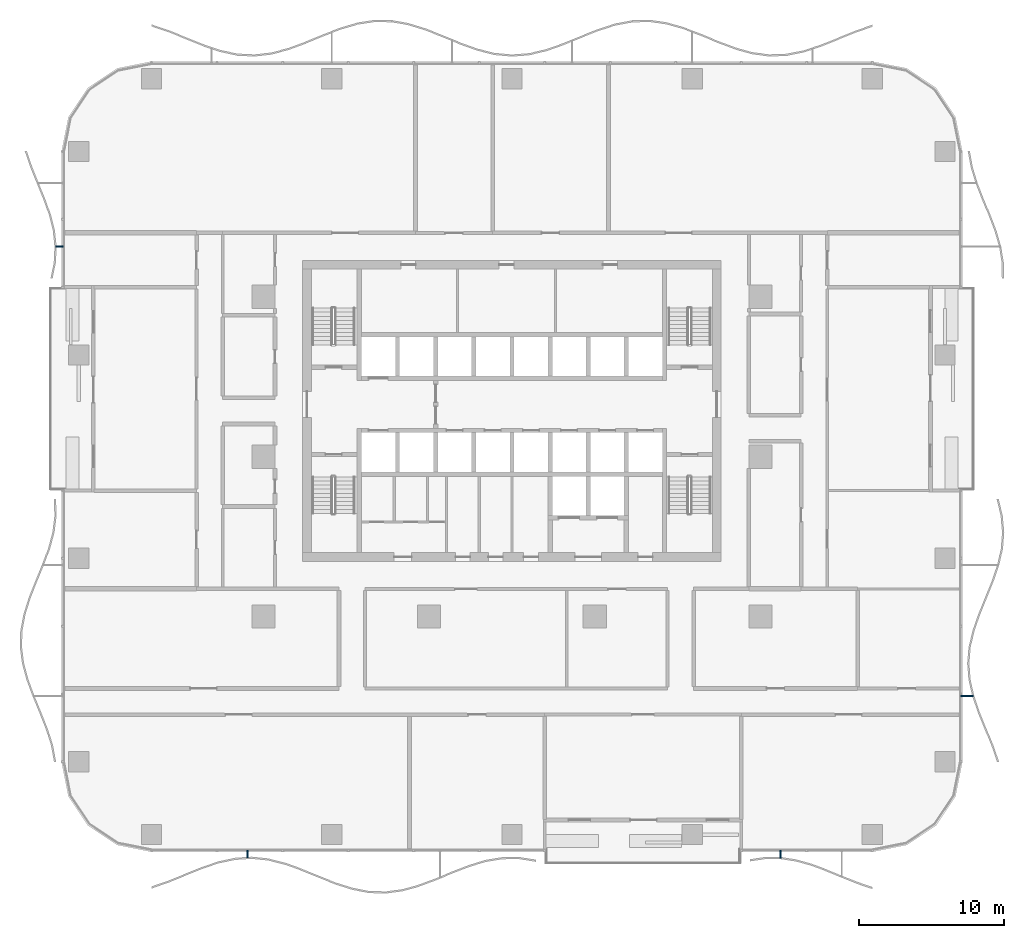
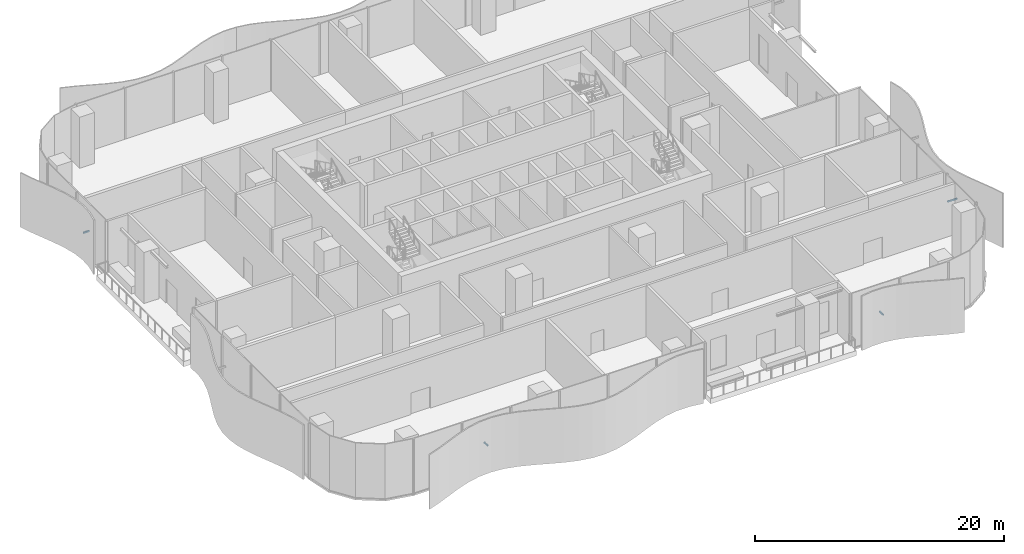
# One storey, part 13 of 21: 4 discrete accessories.
"""IFC4 building model written with IfcOpenShell, lengths in metres."""

import ifcopenshell
import ifcopenshell.guid

model = None  # the IFC model being written
_history = None  # IfcOwnerHistory: only IFC2X3 demands one
_inside = {}  # id of a spatial element -> (the spatial element, [elements in it])
_under = {}  # id of a project, library or spatial element -> (it, [spatial elements below it])
_declared = {}  # id of a project -> (the project, [libraries it declares])
_typed = {}  # id of a type object -> (the type object, [elements of that type])
_made_of = {}  # id of a material, layer set ... -> (it, [elements and type objects made of it])


def new_model(schema):
    """Start an empty IFC model of exactly this schema.

    Asked for "IFC4X3", IfcOpenShell would pick the latest addendum, in which some entities
    have other attributes; the version numbers below select the first issue.
    IFC2X3 requires an IfcOwnerHistory on every rooted entity: one is made here for all.
    """
    global model, _history
    if schema == "IFC4X3":
        model = ifcopenshell.file(schema_version=(4, 3, 0, 0))
    else:
        model = ifcopenshell.file(schema=schema)
    _inside.clear()
    _under.clear()
    _declared.clear()
    _typed.clear()
    _made_of.clear()
    _history = None
    if model.schema == "IFC2X3":
        org = make("IfcOrganization", Name="unknown")
        user = make(
            "IfcPersonAndOrganization",
            ThePerson=make("IfcPerson", FamilyName="unknown"),
            TheOrganization=org,
        )
        app = make(
            "IfcApplication",
            ApplicationDeveloper=org,
            Version="unknown",
            ApplicationFullName="unknown",
            ApplicationIdentifier="unknown",
        )
        _history = make(
            "IfcOwnerHistory",
            OwningUser=user,
            OwningApplication=app,
            ChangeAction="ADDED",
            CreationDate=0,
        )
    return model


def make(cls, **values):
    """One entity of the class cls with the attributes given. An attribute that is None is left unset."""
    return model.create_entity(
        cls, **{name: value for name, value in values.items() if value is not None}
    )


def rooted(cls, **values):
    """An entity with a GlobalId (a new one), such as an element, a storey or a relation."""
    return make(cls, GlobalId=ifcopenshell.guid.new(), OwnerHistory=_history, **values)


def si_unit(unit_type, name, prefix=None):
    """IfcSIUnit, for example si_unit("LENGTHUNIT", "METRE", prefix="MILLI")."""
    return make("IfcSIUnit", UnitType=unit_type, Prefix=prefix, Name=name)


def assignment(units):
    """IfcUnitAssignment: the units of a project."""
    return None if units is None else make("IfcUnitAssignment", Units=units)


def point(xyz):
    """IfcCartesianPoint."""
    return None if xyz is None else make("IfcCartesianPoint", Coordinates=xyz)


def direction(xyz):
    """IfcDirection."""
    return None if xyz is None else make("IfcDirection", DirectionRatios=xyz)


def frame(location, z_axis=None, x_axis=None):
    """IfcAxis2Placement3D, a coordinate frame: its origin and axes. An axis left out is left unset."""
    return make(
        "IfcAxis2Placement3D",
        Location=point(location),
        Axis=direction(z_axis),
        RefDirection=direction(x_axis),
    )


def frame_2d(location, x_axis=None):
    """IfcAxis2Placement2D, a coordinate frame in the plane: its origin and x axis."""
    return make(
        "IfcAxis2Placement2D", Location=point(location), RefDirection=direction(x_axis)
    )


def origin():
    """The frame at (0, 0, 0) with its axes left unset."""
    return frame((0.0, 0.0, 0.0))


def origin_2d():
    """The frame at (0, 0) in the plane with its x axis left unset."""
    return frame_2d((0.0, 0.0))


def place(relative_to, where):
    """IfcLocalPlacement: puts the frame where relative to a parent placement (None: the world)."""
    return make(
        "IfcLocalPlacement", PlacementRelTo=relative_to, RelativePlacement=where
    )


def context(
    kind, dimensions, precision=None, world=None, true_north=None, identifier=None
):
    """IfcGeometricRepresentationContext, for example the 3D "Model" context."""
    return make(
        "IfcGeometricRepresentationContext",
        ContextIdentifier=identifier,
        ContextType=kind,
        CoordinateSpaceDimension=dimensions,
        Precision=precision,
        WorldCoordinateSystem=world,
        TrueNorth=true_north,
    )


def subcontext(parent, identifier, kind, view, scale=None):
    """IfcGeometricRepresentationSubContext, for example "Body" below "Model"."""
    return make(
        "IfcGeometricRepresentationSubContext",
        ContextIdentifier=identifier,
        ContextType=kind,
        ParentContext=parent,
        TargetScale=scale,
        TargetView=view,
    )


def project(units=None, contexts=None):
    """IfcProject with its units and contexts."""
    return rooted(
        "IfcProject",
        Name="project",
        RepresentationContexts=contexts,
        UnitsInContext=assignment(units),
    )


def spatial(cls, under=None, at=None, **own):
    """A site, building, storey or space (cls), placed at a placement, below another one or the project."""
    s = rooted(cls, ObjectPlacement=at, **own)
    if under is not None:
        _under.setdefault(under.id(), (under, []))[1].append(s)
    return s


def profile(cls, at=None, kind="AREA", **sizes):
    """A parametric profile (cls). Its sizes go by their IFC names, for example OverallWidth=200.0."""
    return make(cls, ProfileType=kind, Position=at, **sizes)


def rectangle(**sizes):
    """IfcRectangleProfileDef."""
    return profile("IfcRectangleProfileDef", **sizes)


def extrude(swept, where, along, depth):
    """IfcExtrudedAreaSolid: the profile swept, set in the frame where, extruded along a direction by depth."""
    return make(
        "IfcExtrudedAreaSolid",
        SweptArea=swept,
        Position=where,
        ExtrudedDirection=direction(along),
        Depth=depth,
    )


def shape(context_of_items, identifier, shape_type, items):
    """IfcShapeRepresentation: the items that make up one representation, for example the "Body"."""
    return make(
        "IfcShapeRepresentation",
        ContextOfItems=context_of_items,
        RepresentationIdentifier=identifier,
        RepresentationType=shape_type,
        Items=items,
    )


def material(Name=None, Category=None):
    """IfcMaterial."""
    return make("IfcMaterial", Name=Name, Category=Category)


def made_of(thing, what):
    """Note that an element or type object is made of a material, layer set ...; save() writes the relation."""
    if what is not None:
        _made_of.setdefault(what.id(), (what, []))[1].append(thing)
    return thing


def type_object(cls, material=None, **own):
    """A type object (cls), such as IfcWallType, which elements share."""
    return made_of(rooted(cls, **own), material)


def element(
    cls,
    number,
    at=None,
    inside=None,
    cuts=None,
    type_object=None,
    material=None,
    context=None,
    identifier="Body",
    shape_type=None,
    held_by="IfcProductDefinitionShape",
    body=None,
    shapes=None,
    **own,
):
    """One element of the class cls, such as IfcWall. Its Tag is "e" and its number.

    at: its placement. inside: the storey or other place that contains it. cuts: it is an
    opening in that element (IfcRelVoidsElement). A single representation is given by context,
    identifier, shape_type and body (its items); several are given by shapes. held_by: the class
    of the entity that holds the representations. save() writes the other relations.
    """
    e = rooted(cls, Tag="e%d" % number, ObjectPlacement=at, **own)
    if body is not None:
        shapes = [shape(context, identifier, shape_type, body)]
    if shapes is not None:
        e.Representation = make(held_by, Representations=shapes)
    if inside is not None:
        _inside.setdefault(inside.id(), (inside, []))[1].append(e)
    if cuts is not None:
        rooted(
            "IfcRelVoidsElement", RelatingBuildingElement=cuts, RelatedOpeningElement=e
        )
    if type_object is not None:
        _typed.setdefault(type_object.id(), (type_object, []))[1].append(e)
    return made_of(e, material)


def aggregate(whole, parts):
    """IfcRelAggregates: a whole, such as a stair, and the parts it consists of."""
    return rooted("IfcRelAggregates", RelatingObject=whole, RelatedObjects=parts)


def save(model, path):
    """Write the relations noted so far, then the file.

    IfcRelAggregates (storeys below a building ...), IfcRelContainedInSpatialStructure (elements
    in a storey), IfcRelDefinesByType, IfcRelAssociatesMaterial and IfcRelDeclares: one each for
    every whole, place, type object, material and project.
    """
    for whole, parts in _under.values():
        aggregate(whole, parts)
    for where, things in _inside.values():
        rooted(
            "IfcRelContainedInSpatialStructure",
            RelatedElements=things,
            RelatingStructure=where,
        )
    for kind, things in _typed.values():
        rooted("IfcRelDefinesByType", RelatedObjects=things, RelatingType=kind)
    for what, things in _made_of.values():
        rooted("IfcRelAssociatesMaterial", RelatedObjects=things, RelatingMaterial=what)
    for by, libraries in _declared.values():
        rooted("IfcRelDeclares", RelatingContext=by, RelatedDefinitions=libraries)
    model.write(path)


model = new_model("IFC4")

# Units and contexts
model_context = context("Model", 3, precision=1e-05, world=origin(), true_north=direction((0.0, 1.0)))
body_context = subcontext(model_context, "Body", "Model", "MODEL_VIEW")
ifc_project = project(units=[si_unit("LENGTHUNIT", "METRE"), si_unit("AREAUNIT", "SQUARE_METRE"), si_unit("VOLUMEUNIT", "CUBIC_METRE"), si_unit("PLANEANGLEUNIT", "RADIAN"), si_unit("MASSUNIT", "GRAM", prefix="KILO")], contexts=[model_context])

# Site, building, storey
site_placement = place(None, origin())
site = spatial("IfcSite", under=ifc_project, at=site_placement, CompositionType="ELEMENT")
building_placement = place(site_placement, origin())
building = spatial("IfcBuilding", under=site, at=building_placement, Name="Mopane Tessera Tower", CompositionType="ELEMENT")
storey_placement = place(building_placement, frame((0.0, 0.0, 20.0)))
storey = spatial("IfcBuildingStorey", under=building, at=storey_placement, Name="L03", CompositionType="ELEMENT", Elevation=20.0)

# Discrete accessories
ifc_material = material(Name="Stainless steel S316", Category="steel")
discrete_accessory_type = type_object("IfcDiscreteAccessoryType", Name="Louvre bracket 100 x 100", PredefinedType="BRACKET", material=ifc_material)
discrete_accessory_1_placement = place(storey_placement, frame((-18.186279296875, -27.340576171875, 2.280029296875), z_axis=(0.0, 0.0, 1.0), x_axis=(0.0, -1.0, 0.0)))
element("IfcDiscreteAccessory", 1, at=discrete_accessory_1_placement, inside=storey, type_object=discrete_accessory_type, Name="e:lv:L03:S:0:br0", PredefinedType="BRACKET", context=body_context, shape_type="SweptSolid", body=[
    extrude(rectangle(XDim=0.521240234375, YDim=0.10009765625, at=origin_2d()), origin(), (0.0, 0.0, 1.0), 0.10009765625),
])
discrete_accessory_2_placement = place(storey_placement, frame((18.486328125, -27.3505859375, 2.280029296875), z_axis=(0.0, 0.0, 1.0), x_axis=(0.0, -1.0, 0.0)))
element("IfcDiscreteAccessory", 2, at=discrete_accessory_2_placement, inside=storey, type_object=discrete_accessory_type, Name="e:lv:L03:S:1:br0", PredefinedType="BRACKET", context=body_context, shape_type="SweptSolid", body=[
    extrude(rectangle(XDim=0.541015625, YDim=0.10009765625, at=origin_2d()), origin(), (0.0, 0.0, 1.0), 0.10009765625),
])
discrete_accessory_3_placement = place(storey_placement, frame((31.313232421875, -16.4833984375, 2.280029296875), z_axis=(0.0, 0.0, 1.0), x_axis=(1.0, 0.0, 0.0)))
element("IfcDiscreteAccessory", 3, at=discrete_accessory_3_placement, inside=storey, type_object=discrete_accessory_type, Name="e:lv:L03:E:0:br0", PredefinedType="BRACKET", context=body_context, shape_type="SweptSolid", body=[
    extrude(rectangle(XDim=0.866455078125, YDim=0.10009765625, at=origin_2d()), origin(), (0.0, 0.0, 1.0), 0.10009765625),
])
discrete_accessory_4_placement = place(storey_placement, frame((-31.141357421875, 14.449951171875, 2.280029296875), z_axis=(0.0, 0.0, 1.0), x_axis=(-1.0, 0.0, 0.0)))
element("IfcDiscreteAccessory", 4, at=discrete_accessory_4_placement, inside=storey, type_object=discrete_accessory_type, Name="e:lv:L03:W:0:br1", PredefinedType="BRACKET", context=body_context, shape_type="SweptSolid", body=[
    extrude(rectangle(XDim=0.52294921875, YDim=0.10009765625, at=origin_2d()), origin(), (0.0, 0.0, 1.0), 0.10009765625),
])

save(model, "model.ifc")
